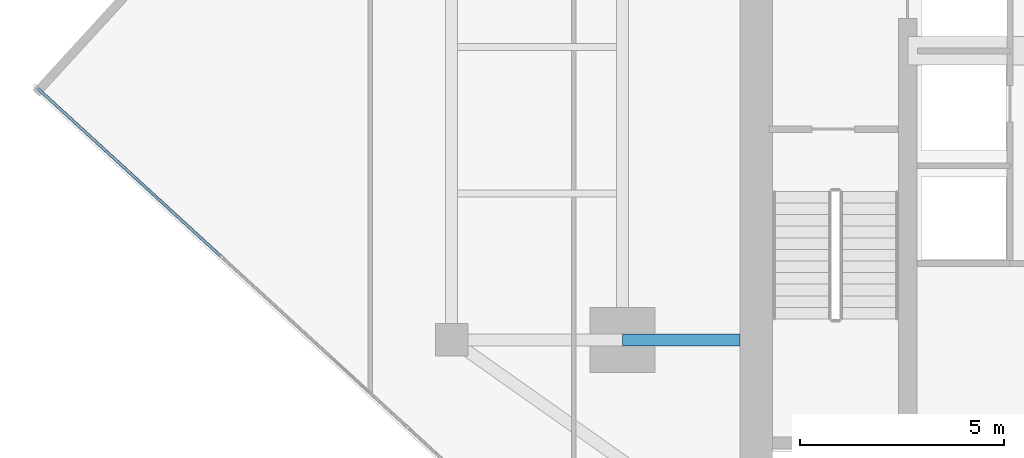
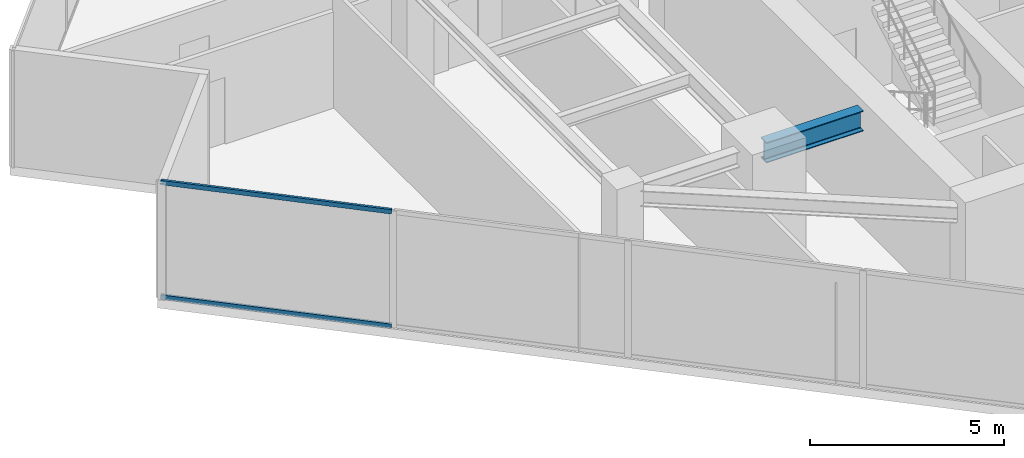
# One storey, part 5 of 26: 2 members, 1 beam, 1 element without a shape of its own.
"""IFC4 building model written with IfcOpenShell, lengths in metres."""

import ifcopenshell
import ifcopenshell.guid

model = None  # the IFC model being written
_history = None  # IfcOwnerHistory: only IFC2X3 demands one
_inside = {}  # id of a spatial element -> (the spatial element, [elements in it])
_under = {}  # id of a project, library or spatial element -> (it, [spatial elements below it])
_declared = {}  # id of a project -> (the project, [libraries it declares])
_typed = {}  # id of a type object -> (the type object, [elements of that type])
_made_of = {}  # id of a material, layer set ... -> (it, [elements and type objects made of it])


def new_model(schema):
    """Start an empty IFC model of exactly this schema.

    Asked for "IFC4X3", IfcOpenShell would pick the latest addendum, in which some entities
    have other attributes; the version numbers below select the first issue.
    IFC2X3 requires an IfcOwnerHistory on every rooted entity: one is made here for all.
    """
    global model, _history
    if schema == "IFC4X3":
        model = ifcopenshell.file(schema_version=(4, 3, 0, 0))
    else:
        model = ifcopenshell.file(schema=schema)
    _inside.clear()
    _under.clear()
    _declared.clear()
    _typed.clear()
    _made_of.clear()
    _history = None
    if model.schema == "IFC2X3":
        org = make("IfcOrganization", Name="unknown")
        user = make(
            "IfcPersonAndOrganization",
            ThePerson=make("IfcPerson", FamilyName="unknown"),
            TheOrganization=org,
        )
        app = make(
            "IfcApplication",
            ApplicationDeveloper=org,
            Version="unknown",
            ApplicationFullName="unknown",
            ApplicationIdentifier="unknown",
        )
        _history = make(
            "IfcOwnerHistory",
            OwningUser=user,
            OwningApplication=app,
            ChangeAction="ADDED",
            CreationDate=0,
        )
    return model


def make(cls, **values):
    """One entity of the class cls with the attributes given. An attribute that is None is left unset."""
    return model.create_entity(
        cls, **{name: value for name, value in values.items() if value is not None}
    )


def rooted(cls, **values):
    """An entity with a GlobalId (a new one), such as an element, a storey or a relation."""
    return make(cls, GlobalId=ifcopenshell.guid.new(), OwnerHistory=_history, **values)


def si_unit(unit_type, name, prefix=None):
    """IfcSIUnit, for example si_unit("LENGTHUNIT", "METRE", prefix="MILLI")."""
    return make("IfcSIUnit", UnitType=unit_type, Prefix=prefix, Name=name)


def assignment(units):
    """IfcUnitAssignment: the units of a project."""
    return None if units is None else make("IfcUnitAssignment", Units=units)


def point(xyz):
    """IfcCartesianPoint."""
    return None if xyz is None else make("IfcCartesianPoint", Coordinates=xyz)


def direction(xyz):
    """IfcDirection."""
    return None if xyz is None else make("IfcDirection", DirectionRatios=xyz)


def frame(location, z_axis=None, x_axis=None):
    """IfcAxis2Placement3D, a coordinate frame: its origin and axes. An axis left out is left unset."""
    return make(
        "IfcAxis2Placement3D",
        Location=point(location),
        Axis=direction(z_axis),
        RefDirection=direction(x_axis),
    )


def frame_2d(location, x_axis=None):
    """IfcAxis2Placement2D, a coordinate frame in the plane: its origin and x axis."""
    return make(
        "IfcAxis2Placement2D", Location=point(location), RefDirection=direction(x_axis)
    )


def origin():
    """The frame at (0, 0, 0) with its axes left unset."""
    return frame((0.0, 0.0, 0.0))


def origin_2d():
    """The frame at (0, 0) in the plane with its x axis left unset."""
    return frame_2d((0.0, 0.0))


def place(relative_to, where):
    """IfcLocalPlacement: puts the frame where relative to a parent placement (None: the world)."""
    return make(
        "IfcLocalPlacement", PlacementRelTo=relative_to, RelativePlacement=where
    )


def context(
    kind, dimensions, precision=None, world=None, true_north=None, identifier=None
):
    """IfcGeometricRepresentationContext, for example the 3D "Model" context."""
    return make(
        "IfcGeometricRepresentationContext",
        ContextIdentifier=identifier,
        ContextType=kind,
        CoordinateSpaceDimension=dimensions,
        Precision=precision,
        WorldCoordinateSystem=world,
        TrueNorth=true_north,
    )


def subcontext(parent, identifier, kind, view, scale=None):
    """IfcGeometricRepresentationSubContext, for example "Body" below "Model"."""
    return make(
        "IfcGeometricRepresentationSubContext",
        ContextIdentifier=identifier,
        ContextType=kind,
        ParentContext=parent,
        TargetScale=scale,
        TargetView=view,
    )


def project(units=None, contexts=None):
    """IfcProject with its units and contexts."""
    return rooted(
        "IfcProject",
        Name="project",
        RepresentationContexts=contexts,
        UnitsInContext=assignment(units),
    )


def spatial(cls, under=None, at=None, **own):
    """A site, building, storey or space (cls), placed at a placement, below another one or the project."""
    s = rooted(cls, ObjectPlacement=at, **own)
    if under is not None:
        _under.setdefault(under.id(), (under, []))[1].append(s)
    return s


def profile(cls, at=None, kind="AREA", **sizes):
    """A parametric profile (cls). Its sizes go by their IFC names, for example OverallWidth=200.0."""
    return make(cls, ProfileType=kind, Position=at, **sizes)


def hollow_rectangle(**sizes):
    """IfcRectangleHollowProfileDef."""
    return profile("IfcRectangleHollowProfileDef", **sizes)


def i_section(**sizes):
    """IfcIShapeProfileDef."""
    return profile("IfcIShapeProfileDef", **sizes)


def extrude(swept, where, along, depth):
    """IfcExtrudedAreaSolid: the profile swept, set in the frame where, extruded along a direction by depth."""
    return make(
        "IfcExtrudedAreaSolid",
        SweptArea=swept,
        Position=where,
        ExtrudedDirection=direction(along),
        Depth=depth,
    )


def shape(context_of_items, identifier, shape_type, items):
    """IfcShapeRepresentation: the items that make up one representation, for example the "Body"."""
    return make(
        "IfcShapeRepresentation",
        ContextOfItems=context_of_items,
        RepresentationIdentifier=identifier,
        RepresentationType=shape_type,
        Items=items,
    )


def source(mapping_origin, context_of_items, identifier, shape_type, items):
    """IfcRepresentationMap: a shape defined once, which mapped items show again and again."""
    return make(
        "IfcRepresentationMap",
        MappingOrigin=mapping_origin,
        MappedRepresentation=shape(context_of_items, identifier, shape_type, items),
    )


def transform(
    local_origin,
    x_axis=None,
    y_axis=None,
    z_axis=None,
    scale=None,
    scale2=None,
    scale3=None,
    uniform=True,
):
    """IfcCartesianTransformationOperator3D, or its non-uniform kind. x_axis, y_axis, z_axis: its Axis1, 2, 3."""
    if uniform:
        return make(
            "IfcCartesianTransformationOperator3D",
            Axis1=direction(x_axis),
            Axis2=direction(y_axis),
            LocalOrigin=point(local_origin),
            Scale=scale,
            Axis3=direction(z_axis),
        )
    return make(
        "IfcCartesianTransformationOperator3DnonUniform",
        Axis1=direction(x_axis),
        Axis2=direction(y_axis),
        LocalOrigin=point(local_origin),
        Scale=scale,
        Axis3=direction(z_axis),
        Scale2=scale2,
        Scale3=scale3,
    )


def mapped(mapping_source, mapping_target):
    """IfcMappedItem: shows the shape of a source again, moved by a transform."""
    return make(
        "IfcMappedItem", MappingSource=mapping_source, MappingTarget=mapping_target
    )


def material(Name=None, Category=None):
    """IfcMaterial."""
    return make("IfcMaterial", Name=Name, Category=Category)


def material_profile(
    of_material, cross_section, Name=None, Category=None, Priority=None
):
    """IfcMaterialProfile: a cross section and its material."""
    return make(
        "IfcMaterialProfile",
        Name=Name,
        Material=of_material,
        Profile=cross_section,
        Priority=Priority,
        Category=Category,
    )


def profile_set(profiles, Name=None, composite=None):
    """IfcMaterialProfileSet."""
    return make(
        "IfcMaterialProfileSet",
        Name=Name,
        MaterialProfiles=profiles,
        CompositeProfile=composite,
    )


def made_of(thing, what):
    """Note that an element or type object is made of a material, layer set ...; save() writes the relation."""
    if what is not None:
        _made_of.setdefault(what.id(), (what, []))[1].append(thing)
    return thing


def type_object(cls, material=None, **own):
    """A type object (cls), such as IfcWallType, which elements share."""
    return made_of(rooted(cls, **own), material)


def type_shapes(of_type, sources):
    """Give a type object the sources (RepresentationMaps) that its elements show as mapped items."""
    of_type.RepresentationMaps = sources


def element(
    cls,
    number,
    at=None,
    inside=None,
    cuts=None,
    type_object=None,
    material=None,
    context=None,
    identifier="Body",
    shape_type=None,
    held_by="IfcProductDefinitionShape",
    body=None,
    shapes=None,
    **own,
):
    """One element of the class cls, such as IfcWall. Its Tag is "e" and its number.

    at: its placement. inside: the storey or other place that contains it. cuts: it is an
    opening in that element (IfcRelVoidsElement). A single representation is given by context,
    identifier, shape_type and body (its items); several are given by shapes. held_by: the class
    of the entity that holds the representations. save() writes the other relations.
    """
    e = rooted(cls, Tag="e%d" % number, ObjectPlacement=at, **own)
    if body is not None:
        shapes = [shape(context, identifier, shape_type, body)]
    if shapes is not None:
        e.Representation = make(held_by, Representations=shapes)
    if inside is not None:
        _inside.setdefault(inside.id(), (inside, []))[1].append(e)
    if cuts is not None:
        rooted(
            "IfcRelVoidsElement", RelatingBuildingElement=cuts, RelatedOpeningElement=e
        )
    if type_object is not None:
        _typed.setdefault(type_object.id(), (type_object, []))[1].append(e)
    return made_of(e, material)


def aggregate(whole, parts):
    """IfcRelAggregates: a whole, such as a stair, and the parts it consists of."""
    return rooted("IfcRelAggregates", RelatingObject=whole, RelatedObjects=parts)


def save(model, path):
    """Write the relations noted so far, then the file.

    IfcRelAggregates (storeys below a building ...), IfcRelContainedInSpatialStructure (elements
    in a storey), IfcRelDefinesByType, IfcRelAssociatesMaterial and IfcRelDeclares: one each for
    every whole, place, type object, material and project.
    """
    for whole, parts in _under.values():
        aggregate(whole, parts)
    for where, things in _inside.values():
        rooted(
            "IfcRelContainedInSpatialStructure",
            RelatedElements=things,
            RelatingStructure=where,
        )
    for kind, things in _typed.values():
        rooted("IfcRelDefinesByType", RelatedObjects=things, RelatingType=kind)
    for what, things in _made_of.values():
        rooted("IfcRelAssociatesMaterial", RelatedObjects=things, RelatingMaterial=what)
    for by, libraries in _declared.values():
        rooted("IfcRelDeclares", RelatingContext=by, RelatedDefinitions=libraries)
    model.write(path)


model = new_model("IFC4")

# Units and contexts
model_context = context("Model", 3, precision=1e-05, world=origin(), true_north=direction((0.0, 1.0)))
body_context = subcontext(model_context, "Body", "Model", "MODEL_VIEW")
ifc_project = project(units=[si_unit("LENGTHUNIT", "METRE"), si_unit("AREAUNIT", "SQUARE_METRE"), si_unit("VOLUMEUNIT", "CUBIC_METRE"), si_unit("PLANEANGLEUNIT", "RADIAN"), si_unit("MASSUNIT", "GRAM", prefix="KILO")], contexts=[model_context])

# Site, building, storey
site_placement = place(None, origin())
site = spatial("IfcSite", under=ifc_project, at=site_placement, CompositionType="ELEMENT")
building_placement = place(site_placement, origin())
building = spatial("IfcBuilding", under=site, at=building_placement, Name="Krantzveldt Concourse Tower", CompositionType="ELEMENT")
storey_placement = place(building_placement, frame((0.0, 0.0, 223.10009765625)))
storey = spatial("IfcBuildingStorey", under=building, at=storey_placement, Name="L54", CompositionType="ELEMENT", Elevation=223.10009765625)

# Beam
ifc_material_1 = material(Name="Steel S355JR", Category="steel")
ifc_material_profile_1 = material_profile(ifc_material_1, i_section(OverallWidth=0.300048828125, OverallDepth=0.639892578125, WebThickness=0.013427734375, FlangeThickness=0.02587890625, FilletRadius=0.027099609375, at=origin_2d()), Name="Steel S355JR", Category="steel")
ifc_profile_set_1 = profile_set([ifc_material_profile_1], Name="Steel S355JR - HEA 650")
beam_type = type_object("IfcBeamType", Name="BM-B-HEA650", PredefinedType="BEAM", material=ifc_profile_set_1)
shared_shape_1 = source(origin(), body_context, "Body", "SweptSolid", [
    extrude(i_section(OverallWidth=0.300048828125, OverallDepth=0.639892578125, WebThickness=0.013427734375, FlangeThickness=0.02587890625, FilletRadius=0.027099609375, at=origin_2d()), origin(), (0.0, 0.0, 1.0), 2.880126953125),
])
type_shapes(beam_type, [shared_shape_1])
beam_placement = place(storey_placement, frame((25.199951171875, 15.89990234375, 3.349853515625), z_axis=(1.0, 0.0, 0.0), x_axis=(0.0, 1.0, 0.0)))
element("IfcBeam", 1, at=beam_placement, inside=storey, type_object=beam_type, Name="L54 Tower Girder BG-CW1", PredefinedType="BEAM", context=body_context, shape_type="MappedRepresentation", body=[
    mapped(shared_shape_1, transform((0.0, 0.0, 0.0), x_axis=(1.0, 0.0, 0.0), y_axis=(0.0, 1.0, 0.0), z_axis=(0.0, 0.0, 1.0), scale=1.0)),
])

# Curtain wall, members
ifc_material_2 = material(Name="Anodised aluminium 6063-T6", Category="aluminium")
curtain_wall_type = type_object("IfcCurtainWallType", Name="CW3", PredefinedType="USERDEFINED", material=ifc_material_2)
curtain_wall_placement = place(storey_placement, origin())
curtain_wall = element("IfcCurtainWall", 2, at=curtain_wall_placement, inside=storey, type_object=curtain_wall_type, Name="CW-L54-F04", ObjectType="UNITISED CURTAIN WALL", PredefinedType="USERDEFINED")
ifc_material_profile_2 = material_profile(ifc_material_2, hollow_rectangle(XDim=0.070068359375, YDim=0.139892578125, WallThickness=0.0048828125, at=origin_2d()), Name="Anodised aluminium 6063-T6", Category="aluminium")
ifc_profile_set_2 = profile_set([ifc_material_profile_2], Name="Anodised aluminium 6063-T6 - ALU-TRAN 140x70x5")
member_type = type_object("IfcMemberType", Name="CW-TRN-150", PredefinedType="USERDEFINED", material=ifc_profile_set_2)
shared_shape_2 = source(origin(), body_context, "Body", "SweptSolid", [
    extrude(hollow_rectangle(XDim=0.070068359375, YDim=0.139892578125, WallThickness=0.0048828125, at=origin_2d()), origin(), (0.0, 0.0, 1.0), 6.094970703125),
])
type_shapes(member_type, [shared_shape_2])
member_1_placement = place(storey_placement, frame((10.8349609375, 22.076416015625, 0.034912109375), z_axis=(0.737277168993, -0.675590390755, 0.0), x_axis=(0.675590390755, 0.737277168993, 0.0)))
member_1 = element("IfcMember", 3, at=member_1_placement, type_object=member_type, Name="CW-Z34 transom 1.1", ObjectType="TRANSOM", PredefinedType="USERDEFINED", context=body_context, shape_type="MappedRepresentation", body=[
    mapped(shared_shape_2, transform((0.0, 0.0, 0.0), x_axis=(1.0, 0.0, 0.0), y_axis=(0.0, 1.0, 0.0), z_axis=(0.0, 0.0, 1.0), scale=1.0)),
])
member_2_placement = place(storey_placement, frame((10.8349609375, 22.076416015625, 3.635009765625), z_axis=(0.737277168993, -0.675590390755, 0.0), x_axis=(0.675590390755, 0.737277168993, 0.0)))
member_2 = element("IfcMember", 4, at=member_2_placement, type_object=member_type, Name="CW-Z34 transom 1.2", ObjectType="TRANSOM", PredefinedType="USERDEFINED", context=body_context, shape_type="MappedRepresentation", body=[
    mapped(shared_shape_2, transform((0.0, 0.0, 0.0), x_axis=(1.0, 0.0, 0.0), y_axis=(0.0, 1.0, 0.0), z_axis=(0.0, 0.0, 1.0), scale=1.0)),
])
aggregate(curtain_wall, [member_1, member_2])

save(model, "model.ifc")
